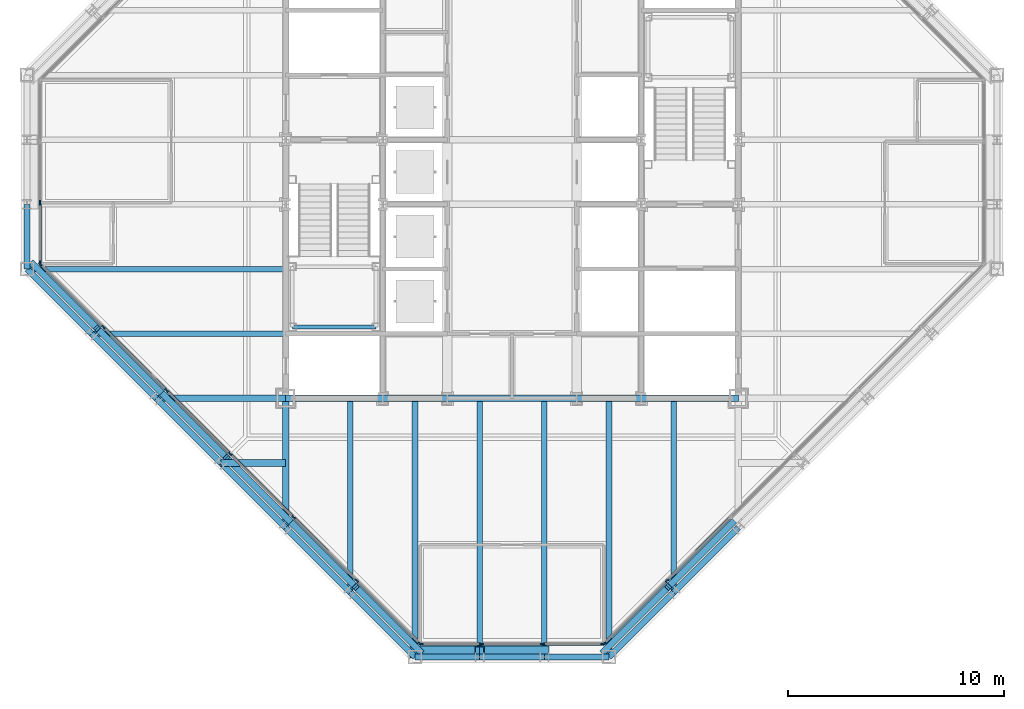
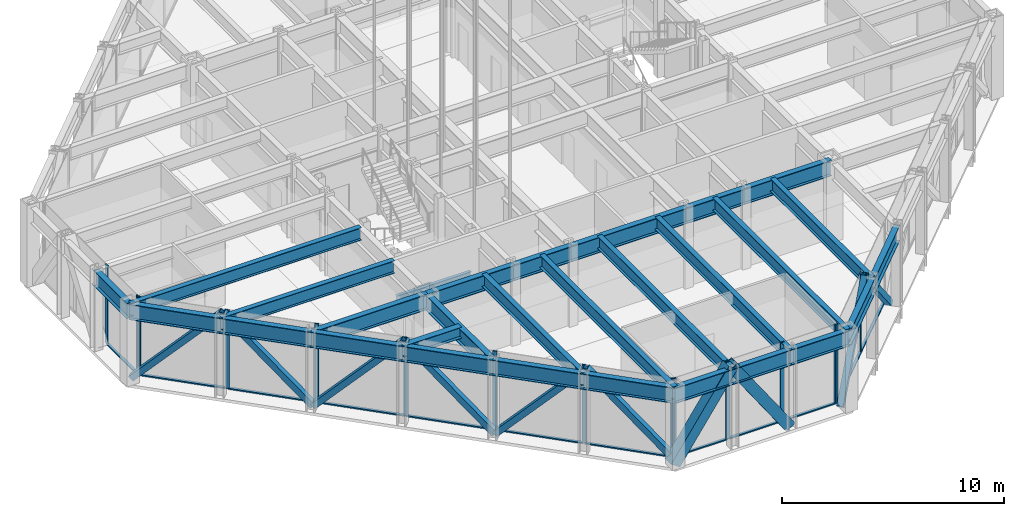
# One storey, part 5 of 24: 37 members, 29 beams, 4 elements without a shape of their own.
"""IFC4 building model written with IfcOpenShell, lengths in metres."""

from ifc_helpers import new_model, si_unit, direction, frame, origin, origin_2d, place, context, subcontext, project, spatial, rectangle, hollow_rectangle, i_section, extrude, material, layer, layer_set, material_profile, profile_set, type_object, element, aggregate, save


model = new_model("IFC4")

# Units and contexts
model_context = context("Model", 3, precision=1e-05, world=origin(), true_north=direction((0.0, 1.0)))
body_context = subcontext(model_context, "Body", "Model", "MODEL_VIEW")
ifc_project = project(units=[si_unit("LENGTHUNIT", "METRE"), si_unit("AREAUNIT", "SQUARE_METRE"), si_unit("VOLUMEUNIT", "CUBIC_METRE"), si_unit("PLANEANGLEUNIT", "RADIAN"), si_unit("MASSUNIT", "GRAM", prefix="KILO")], contexts=[model_context])

# Site, building, storey
site_placement = place(None, origin())
site = spatial("IfcSite", under=ifc_project, at=site_placement, CompositionType="ELEMENT")
building_placement = place(site_placement, origin())
building = spatial("IfcBuilding", under=site, at=building_placement, Name="Chuquiago Exchange Tower", CompositionType="ELEMENT")
storey_placement = place(building_placement, frame((0.0, 0.0, 257.699951171875)))
storey = spatial("IfcBuildingStorey", under=building, at=storey_placement, Name="L57", CompositionType="ELEMENT", Elevation=257.699951171875)

# Beams
ifc_material_1 = material(Name="Steel ASTM A992", Category="steel")
ifc_material_profile_1 = material_profile(ifc_material_1, i_section(OverallWidth=0.2919921875, OverallDepth=0.8583984375, WebThickness=0.01708984375, FlangeThickness=0.031005859375, at=origin_2d()), Name="W33X169")
ifc_profile_set_1 = profile_set([ifc_material_profile_1], Name="Steel ASTM A992")
beam_type_1 = type_object("IfcBeamType", Name="B3 W33X169", PredefinedType="BEAM", material=ifc_profile_set_1)
beam_1_placement = place(storey_placement, frame((12.0, 12.0, 3.91064453125), z_axis=(1.0, 0.0, 0.0), x_axis=(0.0, 1.0, 0.0)))
element("IfcBeam", 1, at=beam_1_placement, inside=storey, type_object=beam_type_1, Name="CB-L58-12_12-16.5_12", PredefinedType="BEAM", context=body_context, shape_type="SweptSolid", body=[
    extrude(i_section(OverallWidth=0.2919921875, OverallDepth=0.8583984375, WebThickness=0.01708984375, FlangeThickness=0.031005859375, at=origin_2d()), origin(), (0.0, 0.0, 1.0), 4.5),
])
beam_2_placement = place(storey_placement, frame((16.5, 12.0, 3.91064453125), z_axis=(1.0, 0.0, 0.0), x_axis=(0.0, 1.0, 0.0)))
element("IfcBeam", 2, at=beam_2_placement, inside=storey, type_object=beam_type_1, Name="CB-L58-16.5_12-19.5_12", PredefinedType="BEAM", context=body_context, shape_type="SweptSolid", body=[
    extrude(i_section(OverallWidth=0.2919921875, OverallDepth=0.8583984375, WebThickness=0.01708984375, FlangeThickness=0.031005859375, at=origin_2d()), origin(), (0.0, 0.0, 1.0), 3.0),
])
beam_3_placement = place(storey_placement, frame((19.5, 12.0, 3.91064453125), z_axis=(1.0, 0.0, 0.0), x_axis=(0.0, 1.0, 0.0)))
element("IfcBeam", 3, at=beam_3_placement, inside=storey, type_object=beam_type_1, Name="CB-L58-19.5_12-25.5_12", PredefinedType="BEAM", context=body_context, shape_type="SweptSolid", body=[
    extrude(i_section(OverallWidth=0.2919921875, OverallDepth=0.8583984375, WebThickness=0.01708984375, FlangeThickness=0.031005859375, at=origin_2d()), origin(), (0.0, 0.0, 1.0), 6.0),
])
beam_4_placement = place(storey_placement, frame((25.5, 12.0, 3.91064453125), z_axis=(1.0, 0.0, 0.0), x_axis=(0.0, 1.0, 0.0)))
element("IfcBeam", 4, at=beam_4_placement, inside=storey, type_object=beam_type_1, Name="CB-L58-25.5_12-28.5_12", PredefinedType="BEAM", context=body_context, shape_type="SweptSolid", body=[
    extrude(i_section(OverallWidth=0.2919921875, OverallDepth=0.8583984375, WebThickness=0.01708984375, FlangeThickness=0.031005859375, at=origin_2d()), origin(), (0.0, 0.0, 1.0), 3.0),
])
beam_5_placement = place(storey_placement, frame((28.5, 12.0, 3.91064453125), z_axis=(1.0, 0.0, 0.0), x_axis=(0.0, 1.0, 0.0)))
element("IfcBeam", 5, at=beam_5_placement, inside=storey, type_object=beam_type_1, Name="CB-L58-28.5_12-33_12", PredefinedType="BEAM", context=body_context, shape_type="SweptSolid", body=[
    extrude(i_section(OverallWidth=0.2919921875, OverallDepth=0.8583984375, WebThickness=0.01708984375, FlangeThickness=0.031005859375, at=origin_2d()), origin(), (0.0, 0.0, 1.0), 4.5),
])
ifc_material_2 = material(Name="Steel ASTM A992", Category="steel")
ifc_material_profile_2 = material_profile(ifc_material_2, i_section(OverallWidth=0.256591796875, OverallDepth=0.693359375, WebThickness=0.014404296875, FlangeThickness=0.023681640625, at=origin_2d()), Name="W27X114")
ifc_profile_set_2 = profile_set([ifc_material_profile_2], Name="Steel ASTM A992")
beam_type_2 = type_object("IfcBeamType", Name="B4 W27X114", PredefinedType="BEAM", material=ifc_profile_set_2)
beam_6_placement = place(storey_placement, frame((15.0, 12.0, 3.993408203125), z_axis=(0.0, -1.0, 0.0), x_axis=(1.0, 0.0, 0.0)))
element("IfcBeam", 6, at=beam_6_placement, inside=storey, type_object=beam_type_2, Name="FB-L58-infill-15_12-15_3-0", PredefinedType="BEAM", context=body_context, shape_type="SweptSolid", body=[
    extrude(i_section(OverallWidth=0.256591796875, OverallDepth=0.693359375, WebThickness=0.014404296875, FlangeThickness=0.023681640625, at=origin_2d()), origin(), (0.0, 0.0, 1.0), 9.0),
])
for number, where, z_axis, x_axis, name in (
    (7, (18.0, 12.0, 3.993408203125), (0.0, -1.0, 0.0), (1.0, 0.0, 0.0), "FB-L58-infill-18_12-18_-0-0"),
    (8, (21.0, 12.0, 3.993408203125), (0.0, -1.0, 0.0), (1.0, 0.0, 0.0), "FB-L58-infill-21_12-21_-0-0"),
    (9, (24.0, 12.0, 3.993408203125), (0.0, -1.0, 0.0), (1.0, 0.0, 0.0), "FB-L58-infill-24_12-24_-0-0"),
    (10, (27.0, 12.0, 3.993408203125), (0.0, -1.0, 0.0), (1.0, 0.0, 0.0), "FB-L58-infill-27_12-27_-0-0"),
):
    element("IfcBeam", number, at=place(storey_placement, frame(where, z_axis=z_axis, x_axis=x_axis)), inside=storey, type_object=beam_type_2, Name=name, PredefinedType="BEAM", context=body_context, shape_type="SweptSolid", body=[
        extrude(i_section(OverallWidth=0.256591796875, OverallDepth=0.693359375, WebThickness=0.014404296875, FlangeThickness=0.023681640625, at=origin_2d()), origin(), (0.0, 0.0, 1.0), 12.0),
    ])
for number, where, z_axis, x_axis, name in (
    (11, (30.0, 12.0, 3.993408203125), (0.0, -1.0, 0.0), (1.0, 0.0, 0.0), "FB-L58-infill-30_12-30_3-0"),
    (12, (12.0, 15.0, 3.993408203125), (-1.0, 0.0, 0.0), (0.0, -1.0, 0.0), "FB-L58-infill-12_15-3_15-0"),
):
    element("IfcBeam", number, at=place(storey_placement, frame(where, z_axis=z_axis, x_axis=x_axis)), inside=storey, type_object=beam_type_2, Name=name, PredefinedType="BEAM", context=body_context, shape_type="SweptSolid", body=[
        extrude(i_section(OverallWidth=0.256591796875, OverallDepth=0.693359375, WebThickness=0.014404296875, FlangeThickness=0.023681640625, at=origin_2d()), origin(), (0.0, 0.0, 1.0), 9.0),
    ])
beam_7_placement = place(storey_placement, frame((12.0, 18.0, 3.993408203125), z_axis=(-1.0, 0.0, 0.0), x_axis=(0.0, -1.0, 0.0)))
element("IfcBeam", 13, at=beam_7_placement, inside=storey, type_object=beam_type_2, Name="FB-L58-infill-12_18--0_18-0", PredefinedType="BEAM", context=body_context, shape_type="SweptSolid", body=[
    extrude(i_section(OverallWidth=0.256591796875, OverallDepth=0.693359375, WebThickness=0.014404296875, FlangeThickness=0.023681640625, at=origin_2d()), origin(), (0.0, 0.0, 1.0), 12.0),
])
ifc_material_3 = material(Name="Steel ASTM A992", Category="steel")
ifc_material_profile_3 = material_profile(ifc_material_3, i_section(OverallWidth=0.3251953125, OverallDepth=0.6171875, WebThickness=0.013916015625, FlangeThickness=0.021484375, at=origin_2d()), Name="W24X117")
ifc_profile_set_3 = profile_set([ifc_material_profile_3], Name="Steel ASTM A992")
beam_type_3 = type_object("IfcBeamType", Name="B5 W24X117", PredefinedType="BEAM", material=ifc_profile_set_3)
beam_8_placement = place(storey_placement, frame((12.0, 9.0, 4.031494140625), z_axis=(-1.0, 0.0, 0.0), x_axis=(0.0, -1.0, 0.0)))
element("IfcBeam", 14, at=beam_8_placement, inside=storey, type_object=beam_type_3, Name="FB-L58-corner-12_9-9_9-0", PredefinedType="BEAM", context=body_context, shape_type="SweptSolid", body=[
    extrude(i_section(OverallWidth=0.3251953125, OverallDepth=0.6171875, WebThickness=0.013916015625, FlangeThickness=0.021484375, at=origin_2d()), origin(), (0.0, 0.0, 1.0), 3.0),
])

# Curtain wall, members
ifc_material_4 = material(Name="Aluminium curtain wall system", Category="aluminium")
ifc_layer_1 = layer(ifc_material_4, 0.22509765625)
ifc_layer_set_1 = layer_set([ifc_layer_1], Name="CW2 office curtain wall")
curtain_wall_type_1 = type_object("IfcCurtainWallType", Name="CW2 office curtain wall", PredefinedType="NOTDEFINED", material=ifc_layer_set_1)
curtain_wall_1_placement = place(storey_placement, origin())
curtain_wall_1 = element("IfcCurtainWall", 15, at=curtain_wall_1_placement, inside=storey, type_object=curtain_wall_type_1, Name="CW2 curtain wall L57", PredefinedType="NOTDEFINED")
ifc_material_5 = material(Name="Aluminium mullion, pale anodised", Category="aluminium")
ifc_material_profile_4 = material_profile(ifc_material_5, rectangle(XDim=0.06494140625, YDim=0.22509765625, at=origin_2d()), Name="AL 65x225")
ifc_profile_set_4 = profile_set([ifc_material_profile_4], Name="Aluminium mullion, pale anodised")
member_type_1 = type_object("IfcMemberType", Name="CW2-M mullion 65x225", PredefinedType="MULLION", material=ifc_profile_set_4)
member_1_placement = place(storey_placement, frame((18.281005859375, 0.60009765625, 0.0), z_axis=(0.0, 0.0, 1.0), x_axis=(0.0, 1.0, 0.0)))
member_1 = element("IfcMember", 16, at=member_1_placement, type_object=member_type_1, Name="CW2 mullion 1", PredefinedType="MULLION", context=body_context, shape_type="SweptSolid", body=[
    extrude(rectangle(XDim=0.06494140625, YDim=0.22509765625, at=origin_2d()), origin(), (0.0, 0.0, 1.0), 4.340087890625),
])
member_2_placement = place(storey_placement, frame((21.082763671875, 0.60009765625, 0.0), z_axis=(0.0, 0.0, 1.0), x_axis=(0.0, 1.0, 0.0)))
member_2 = element("IfcMember", 17, at=member_2_placement, type_object=member_type_1, Name="CW2 mullion 2", PredefinedType="MULLION", context=body_context, shape_type="SweptSolid", body=[
    extrude(rectangle(XDim=0.06494140625, YDim=0.22509765625, at=origin_2d()), origin(), (0.0, 0.0, 1.0), 4.340087890625),
])
member_3_placement = place(storey_placement, frame((23.917236328125, 0.60009765625, 0.0), z_axis=(0.0, 0.0, 1.0), x_axis=(0.0, 1.0, 0.0)))
member_3 = element("IfcMember", 18, at=member_3_placement, type_object=member_type_1, Name="CW2 mullion 3", PredefinedType="MULLION", context=body_context, shape_type="SweptSolid", body=[
    extrude(rectangle(XDim=0.06494140625, YDim=0.22509765625, at=origin_2d()), origin(), (0.0, 0.0, 1.0), 4.340087890625),
])
member_4_placement = place(storey_placement, frame((26.718994140625, 0.60009765625, 0.0), z_axis=(0.0, 0.0, 1.0), x_axis=(0.0, 1.0, 0.0)))
member_4 = element("IfcMember", 19, at=member_4_placement, type_object=member_type_1, Name="CW2 mullion 4", PredefinedType="MULLION", context=body_context, shape_type="SweptSolid", body=[
    extrude(rectangle(XDim=0.06494140625, YDim=0.22509765625, at=origin_2d()), origin(), (0.0, 0.0, 1.0), 4.340087890625),
])

curtain_wall_2_placement = place(storey_placement, origin())
curtain_wall_2 = element("IfcCurtainWall", 20, at=curtain_wall_2_placement, inside=storey, type_object=curtain_wall_type_1, Name="CW2 curtain wall L57", PredefinedType="NOTDEFINED")
member_5_placement = place(storey_placement, frame((0.60009765625, 21.082763671875, 0.0), z_axis=(0.0, 0.0, 1.0), x_axis=(1.0, 0.0, 0.0)))
member_5 = element("IfcMember", 21, at=member_5_placement, type_object=member_type_1, Name="CW2 mullion 3", PredefinedType="MULLION", context=body_context, shape_type="SweptSolid", body=[
    extrude(rectangle(XDim=0.06494140625, YDim=0.22509765625, at=origin_2d()), origin(), (0.0, 0.0, 1.0), 4.340087890625),
])
member_6_placement = place(storey_placement, frame((0.60009765625, 18.281005859375, 0.0), z_axis=(0.0, 0.0, 1.0), x_axis=(1.0, 0.0, 0.0)))
member_6 = element("IfcMember", 22, at=member_6_placement, type_object=member_type_1, Name="CW2 mullion 4", PredefinedType="MULLION", context=body_context, shape_type="SweptSolid", body=[
    extrude(rectangle(XDim=0.06494140625, YDim=0.22509765625, at=origin_2d()), origin(), (0.0, 0.0, 1.0), 4.340087890625),
])

# Member
ifc_material_6 = material(Name="Aluminium transom, pale anodised", Category="aluminium")
ifc_material_profile_5 = material_profile(ifc_material_6, rectangle(XDim=0.139892578125, YDim=0.06494140625, at=origin_2d()), Name="AL 140x65")
ifc_profile_set_5 = profile_set([ifc_material_profile_5], Name="Aluminium transom, pale anodised")
member_type_2 = type_object("IfcMemberType", Name="CW2-T transom 65x140", PredefinedType="MULLION", material=ifc_profile_set_5)
member_7_placement = place(storey_placement, frame((18.3134765625, 0.60009765625, 0.032470703125), z_axis=(1.0, 0.0, 0.0), x_axis=(0.0, 1.0, 0.0)))
member_7 = element("IfcMember", 23, at=member_7_placement, type_object=member_type_2, Name="CW2 transom 1.1", PredefinedType="MULLION", context=body_context, shape_type="SweptSolid", body=[
    extrude(rectangle(XDim=0.139892578125, YDim=0.06494140625, at=origin_2d()), origin(), (0.0, 0.0, 1.0), 2.73681640625),
])

member_8_placement = place(storey_placement, frame((21.115234375, 0.60009765625, 0.032470703125), z_axis=(1.0, 0.0, 0.0), x_axis=(0.0, 1.0, 0.0)))
member_8 = element("IfcMember", 24, at=member_8_placement, type_object=member_type_2, Name="CW2 transom 2.1", PredefinedType="MULLION", context=body_context, shape_type="SweptSolid", body=[
    extrude(rectangle(XDim=0.139892578125, YDim=0.06494140625, at=origin_2d()), origin(), (0.0, 0.0, 1.0), 2.76953125),
])

member_9_placement = place(storey_placement, frame((23.94970703125, 0.60009765625, 0.032470703125), z_axis=(1.0, 0.0, 0.0), x_axis=(0.0, 1.0, 0.0)))
member_9 = element("IfcMember", 25, at=member_9_placement, type_object=member_type_2, Name="CW2 transom 3.1", PredefinedType="MULLION", context=body_context, shape_type="SweptSolid", body=[
    extrude(rectangle(XDim=0.139892578125, YDim=0.06494140625, at=origin_2d()), origin(), (0.0, 0.0, 1.0), 2.73681640625),
])

aggregate(curtain_wall_1, [member_1, member_2, member_3, member_4, member_7, member_8, member_9])

member_10_placement = place(storey_placement, frame((0.60009765625, 21.05029296875, 0.032470703125), z_axis=(0.0, -1.0, 0.0), x_axis=(1.0, 0.0, 0.0)))
member_10 = element("IfcMember", 26, at=member_10_placement, type_object=member_type_2, Name="CW2 transom 3.1", PredefinedType="MULLION", context=body_context, shape_type="SweptSolid", body=[
    extrude(rectangle(XDim=0.139892578125, YDim=0.06494140625, at=origin_2d()), origin(), (0.0, 0.0, 1.0), 2.73681640625),
])

aggregate(curtain_wall_2, [member_5, member_6, member_10])

# Curtain wall, members
ifc_material_7 = material(Name="Aluminium curtain wall system", Category="aluminium")
ifc_layer_2 = layer(ifc_material_7, 0.199951171875)
ifc_layer_set_2 = layer_set([ifc_layer_2], Name="CW3 facet curtain wall")
curtain_wall_type_2 = type_object("IfcCurtainWallType", Name="CW3 facet curtain wall", PredefinedType="NOTDEFINED", material=ifc_layer_set_2)
curtain_wall_3_placement = place(storey_placement, origin())
curtain_wall_3 = element("IfcCurtainWall", 27, at=curtain_wall_3_placement, inside=storey, type_object=curtain_wall_type_2, Name="CW3 curtain wall L57", PredefinedType="NOTDEFINED")
ifc_material_8 = material(Name="Aluminium mullion, pale anodised", Category="aluminium")
ifc_material_profile_6 = material_profile(ifc_material_8, rectangle(XDim=0.06494140625, YDim=0.199951171875, at=origin_2d()), Name="AL 65x200")
ifc_profile_set_6 = profile_set([ifc_material_profile_6], Name="Aluminium mullion, pale anodised")
member_type_3 = type_object("IfcMemberType", Name="CW3-M mullion 65x200", PredefinedType="MULLION", material=ifc_profile_set_6)
member_11_placement = place(storey_placement, frame((26.7744140625, 0.623046875, 0.0), z_axis=(0.0, 0.0, 1.0), x_axis=(-0.707106781187, 0.707106781187, 0.0)))
member_11 = element("IfcMember", 28, at=member_11_placement, type_object=member_type_3, Name="CW3 mullion 1", PredefinedType="MULLION", context=body_context, shape_type="SweptSolid", body=[
    extrude(rectangle(XDim=0.06494140625, YDim=0.199951171875, at=origin_2d()), origin(), (0.0, 0.0, 1.0), 4.340087890625),
])
member_12_placement = place(storey_placement, frame((29.69287109375, 3.54150390625, 0.0), z_axis=(0.0, 0.0, 1.0), x_axis=(-0.707106781187, 0.707106781187, 0.0)))
member_12 = element("IfcMember", 29, at=member_12_placement, type_object=member_type_3, Name="CW3 mullion 2", PredefinedType="MULLION", context=body_context, shape_type="SweptSolid", body=[
    extrude(rectangle(XDim=0.06494140625, YDim=0.199951171875, at=origin_2d()), origin(), (0.0, 0.0, 1.0), 4.340087890625),
])

curtain_wall_4_placement = place(storey_placement, origin())
curtain_wall_4 = element("IfcCurtainWall", 30, at=curtain_wall_4_placement, inside=storey, type_object=curtain_wall_type_2, Name="CW3 curtain wall L57", PredefinedType="NOTDEFINED")
member_13_placement = place(storey_placement, frame((0.623046875, 18.2255859375, 0.0), z_axis=(0.0, 0.0, 1.0), x_axis=(0.707106781187, 0.707106781187, 0.0)))
member_13 = element("IfcMember", 31, at=member_13_placement, type_object=member_type_3, Name="CW3 mullion 1", PredefinedType="MULLION", context=body_context, shape_type="SweptSolid", body=[
    extrude(rectangle(XDim=0.06494140625, YDim=0.199951171875, at=origin_2d()), origin(), (0.0, 0.0, 1.0), 4.340087890625),
])
member_14_placement = place(storey_placement, frame((3.54150390625, 15.30712890625, 0.0), z_axis=(0.0, 0.0, 1.0), x_axis=(0.707106781187, 0.707106781187, 0.0)))
member_14 = element("IfcMember", 32, at=member_14_placement, type_object=member_type_3, Name="CW3 mullion 2", PredefinedType="MULLION", context=body_context, shape_type="SweptSolid", body=[
    extrude(rectangle(XDim=0.06494140625, YDim=0.199951171875, at=origin_2d()), origin(), (0.0, 0.0, 1.0), 4.340087890625),
])
member_15_placement = place(storey_placement, frame((6.48291015625, 12.36572265625, 0.0), z_axis=(0.0, 0.0, 1.0), x_axis=(0.707106781187, 0.707106781187, 0.0)))
member_15 = element("IfcMember", 33, at=member_15_placement, type_object=member_type_3, Name="CW3 mullion 3", PredefinedType="MULLION", context=body_context, shape_type="SweptSolid", body=[
    extrude(rectangle(XDim=0.06494140625, YDim=0.199951171875, at=origin_2d()), origin(), (0.0, 0.0, 1.0), 4.340087890625),
])
member_16_placement = place(storey_placement, frame((9.42431640625, 9.42431640625, 0.0), z_axis=(0.0, 0.0, 1.0), x_axis=(0.707106781187, 0.707106781187, 0.0)))
member_16 = element("IfcMember", 34, at=member_16_placement, type_object=member_type_3, Name="CW3 mullion 4", PredefinedType="MULLION", context=body_context, shape_type="SweptSolid", body=[
    extrude(rectangle(XDim=0.06494140625, YDim=0.199951171875, at=origin_2d()), origin(), (0.0, 0.0, 1.0), 4.340087890625),
])
member_17_placement = place(storey_placement, frame((12.36572265625, 6.48291015625, 0.0), z_axis=(0.0, 0.0, 1.0), x_axis=(0.707106781187, 0.707106781187, 0.0)))
member_17 = element("IfcMember", 35, at=member_17_placement, type_object=member_type_3, Name="CW3 mullion 5", PredefinedType="MULLION", context=body_context, shape_type="SweptSolid", body=[
    extrude(rectangle(XDim=0.06494140625, YDim=0.199951171875, at=origin_2d()), origin(), (0.0, 0.0, 1.0), 4.340087890625),
])
member_18_placement = place(storey_placement, frame((15.30712890625, 3.54150390625, 0.0), z_axis=(0.0, 0.0, 1.0), x_axis=(0.707106781187, 0.707106781187, 0.0)))
member_18 = element("IfcMember", 36, at=member_18_placement, type_object=member_type_3, Name="CW3 mullion 6", PredefinedType="MULLION", context=body_context, shape_type="SweptSolid", body=[
    extrude(rectangle(XDim=0.06494140625, YDim=0.199951171875, at=origin_2d()), origin(), (0.0, 0.0, 1.0), 4.340087890625),
])
member_19_placement = place(storey_placement, frame((18.2255859375, 0.623046875, 0.0), z_axis=(0.0, 0.0, 1.0), x_axis=(0.707106781187, 0.707106781187, 0.0)))
member_19 = element("IfcMember", 37, at=member_19_placement, type_object=member_type_3, Name="CW3 mullion 7", PredefinedType="MULLION", context=body_context, shape_type="SweptSolid", body=[
    extrude(rectangle(XDim=0.06494140625, YDim=0.199951171875, at=origin_2d()), origin(), (0.0, 0.0, 1.0), 4.340087890625),
])

# Member
ifc_material_9 = material(Name="Aluminium transom, pale anodised", Category="aluminium")
ifc_material_profile_7 = material_profile(ifc_material_9, rectangle(XDim=0.139892578125, YDim=0.06494140625, at=origin_2d()), Name="AL 140x65")
ifc_profile_set_7 = profile_set([ifc_material_profile_7], Name="Aluminium transom, pale anodised")
member_type_4 = type_object("IfcMemberType", Name="CW3-T transom 65x140", PredefinedType="MULLION", material=ifc_profile_set_7)
member_20_placement = place(storey_placement, frame((26.79736328125, 0.64599609375, 0.032470703125), z_axis=(0.707106781187, 0.707106781187, 0.0), x_axis=(-0.707106781187, 0.707106781187, 0.0)))
member_20 = element("IfcMember", 38, at=member_20_placement, type_object=member_type_4, Name="CW3 transom 1.1", PredefinedType="MULLION", context=body_context, shape_type="SweptSolid", body=[
    extrude(rectangle(XDim=0.139892578125, YDim=0.06494140625, at=origin_2d()), origin(), (0.0, 0.0, 1.0), 4.0625),
])

member_21_placement = place(storey_placement, frame((29.7158203125, 3.564453125, 0.032470703125), z_axis=(0.707106781187, 0.707106781187, 0.0), x_axis=(-0.707106781187, 0.707106781187, 0.0)))
member_21 = element("IfcMember", 39, at=member_21_placement, type_object=member_type_4, Name="CW3 transom 2.1", PredefinedType="MULLION", context=body_context, shape_type="SweptSolid", body=[
    extrude(rectangle(XDim=0.139892578125, YDim=0.06494140625, at=origin_2d()), origin(), (0.0, 0.0, 1.0), 4.094970703125),
])

aggregate(curtain_wall_3, [member_11, member_12, member_20, member_21])

member_22_placement = place(storey_placement, frame((0.64599609375, 18.20263671875, 0.032470703125), z_axis=(0.707106781187, -0.707106781187, 0.0), x_axis=(0.707106781187, 0.707106781187, 0.0)))
member_22 = element("IfcMember", 40, at=member_22_placement, type_object=member_type_4, Name="CW3 transom 1.1", PredefinedType="MULLION", context=body_context, shape_type="SweptSolid", body=[
    extrude(rectangle(XDim=0.139892578125, YDim=0.06494140625, at=origin_2d()), origin(), (0.0, 0.0, 1.0), 4.0625),
])

member_23_placement = place(storey_placement, frame((3.564453125, 15.2841796875, 0.032470703125), z_axis=(0.707106781187, -0.707106781187, 0.0), x_axis=(0.707106781187, 0.707106781187, 0.0)))
member_23 = element("IfcMember", 41, at=member_23_placement, type_object=member_type_4, Name="CW3 transom 2.1", PredefinedType="MULLION", context=body_context, shape_type="SweptSolid", body=[
    extrude(rectangle(XDim=0.139892578125, YDim=0.06494140625, at=origin_2d()), origin(), (0.0, 0.0, 1.0), 4.094970703125),
])

member_24_placement = place(storey_placement, frame((6.505859375, 12.3427734375, 0.032470703125), z_axis=(0.707106781187, -0.707106781187, 0.0), x_axis=(0.707106781187, 0.707106781187, 0.0)))
member_24 = element("IfcMember", 42, at=member_24_placement, type_object=member_type_4, Name="CW3 transom 3.1", PredefinedType="MULLION", context=body_context, shape_type="SweptSolid", body=[
    extrude(rectangle(XDim=0.139892578125, YDim=0.06494140625, at=origin_2d()), origin(), (0.0, 0.0, 1.0), 4.094970703125),
])

member_25_placement = place(storey_placement, frame((9.447265625, 9.4013671875, 0.032470703125), z_axis=(0.707106781187, -0.707106781187, 0.0), x_axis=(0.707106781187, 0.707106781187, 0.0)))
member_25 = element("IfcMember", 43, at=member_25_placement, type_object=member_type_4, Name="CW3 transom 4.1", PredefinedType="MULLION", context=body_context, shape_type="SweptSolid", body=[
    extrude(rectangle(XDim=0.139892578125, YDim=0.06494140625, at=origin_2d()), origin(), (0.0, 0.0, 1.0), 4.094970703125),
])

member_26_placement = place(storey_placement, frame((12.388671875, 6.4599609375, 0.032470703125), z_axis=(0.707106781187, -0.707106781187, 0.0), x_axis=(0.707106781187, 0.707106781187, 0.0)))
member_26 = element("IfcMember", 44, at=member_26_placement, type_object=member_type_4, Name="CW3 transom 5.1", PredefinedType="MULLION", context=body_context, shape_type="SweptSolid", body=[
    extrude(rectangle(XDim=0.139892578125, YDim=0.06494140625, at=origin_2d()), origin(), (0.0, 0.0, 1.0), 4.094970703125),
])

member_27_placement = place(storey_placement, frame((15.330078125, 3.5185546875, 0.032470703125), z_axis=(0.707106781187, -0.707106781187, 0.0), x_axis=(0.707106781187, 0.707106781187, 0.0)))
member_27 = element("IfcMember", 45, at=member_27_placement, type_object=member_type_4, Name="CW3 transom 6.1", PredefinedType="MULLION", context=body_context, shape_type="SweptSolid", body=[
    extrude(rectangle(XDim=0.139892578125, YDim=0.06494140625, at=origin_2d()), origin(), (0.0, 0.0, 1.0), 4.0625),
])

aggregate(curtain_wall_4, [member_13, member_14, member_15, member_16, member_17, member_18, member_19, member_22, member_23, member_24, member_25, member_26, member_27])

# Beams
ifc_material_10 = material(Name="Steel ASTM A992", Category="steel")
ifc_material_profile_8 = material_profile(ifc_material_10, i_section(OverallWidth=0.2919921875, OverallDepth=0.8583984375, WebThickness=0.01708984375, FlangeThickness=0.031005859375, at=origin_2d()), Name="W33X169")
ifc_profile_set_8 = profile_set([ifc_material_profile_8], Name="Steel ASTM A992")
beam_type_4 = type_object("IfcBeamType", Name="G2 W33X169", PredefinedType="BEAM", material=ifc_profile_set_8)
for number, where, z_axis, x_axis, name in (
    (46, (12.0, 12.0, 3.91064453125), (0.0, -1.0, 0.0), (1.0, 0.0, 0.0), "FB-L58-girder-12_12-12_6-0"),
    (47, (12.0, 12.0, 3.91064453125), (-1.0, 0.0, 0.0), (0.0, -1.0, 0.0), "FB-L58-girder-12_12-6_12-0"),
):
    element("IfcBeam", number, at=place(storey_placement, frame(where, z_axis=z_axis, x_axis=x_axis)), inside=storey, type_object=beam_type_4, Name=name, PredefinedType="BEAM", context=body_context, shape_type="SweptSolid", body=[
        extrude(i_section(OverallWidth=0.2919921875, OverallDepth=0.8583984375, WebThickness=0.01708984375, FlangeThickness=0.031005859375, at=origin_2d()), origin(), (0.0, 0.0, 1.0), 6.0),
    ])

# Members
ifc_material_11 = material(Name="Steel ASTM A500 Grade C", Category="steel")
ifc_material_profile_9 = material_profile(ifc_material_11, hollow_rectangle(XDim=0.3046875, YDim=0.3046875, WallThickness=0.0146484375, at=origin_2d()), Name="HSS12X12X5/8")
ifc_profile_set_9 = profile_set([ifc_material_profile_9], Name="Steel ASTM A500 Grade C")
member_type_5 = type_object("IfcMemberType", Name="LB3 HSS12X12X5/8", PredefinedType="BRACE", material=ifc_profile_set_9)
for number, where, z_axis, x_axis, name in (
    (48, (26.750732421875, 0.249267578125, 0.0), (0.494291205278, 0.494291205278, 0.715089091491), (-0.707106781187, 0.707106781187, 0.0), "LB-L57-27_0-30_3"),
    (49, (32.750732421875, 6.249267578125, 0.0), (-0.494291205278, -0.494291205278, 0.715089091491), (0.707106781187, -0.707106781187, 0.0), "LB-L57-30_3-33_6"),
    (50, (0.249267578125, 18.249267578125, 0.0), (0.494291205278, -0.494291205278, 0.715089091491), (0.707106781187, 0.707106781187, 0.0), "LB-L57-0_18-3_15"),
    (51, (6.249267578125, 12.249267578125, 0.0), (-0.494291205278, 0.494291205278, 0.715089091491), (-0.707106781187, -0.707106781187, 0.0), "LB-L57-3_15-6_12"),
    (52, (6.249267578125, 12.249267578125, 0.0), (0.494291205278, -0.494291205278, 0.715089091491), (0.707106781187, 0.707106781187, 0.0), "LB-L57-6_12-9_9"),
    (53, (12.249267578125, 6.249267578125, 0.0), (-0.494291205278, 0.494291205278, 0.715089091491), (-0.707106781187, -0.707106781187, 0.0), "LB-L57-9_9-12_6"),
    (54, (12.249267578125, 6.249267578125, 0.0), (0.494291205278, -0.494291205278, 0.715089091491), (0.707106781187, 0.707106781187, 0.0), "LB-L57-12_6-15_3"),
    (55, (18.249267578125, 0.249267578125, 0.0), (-0.494291205278, 0.494291205278, 0.715089091491), (-0.707106781187, -0.707106781187, 0.0), "LB-L57-15_3-18_0"),
):
    element("IfcMember", number, at=place(storey_placement, frame(where, z_axis=z_axis, x_axis=x_axis)), inside=storey, type_object=member_type_5, Name=name, PredefinedType="BRACE", context=body_context, shape_type="SweptSolid", body=[
        extrude(hollow_rectangle(XDim=0.3046875, YDim=0.3046875, WallThickness=0.0146484375, at=origin_2d()), origin(), (0.0, 0.0, 1.0), 6.0693359375),
    ])

# Beam
ifc_material_12 = material(Name="Steel ASTM A992", Category="steel")
ifc_material_profile_10 = material_profile(ifc_material_12, i_section(OverallWidth=0.164794921875, OverallDepth=0.309814453125, WebThickness=0.005859375, FlangeThickness=0.009765625, at=origin_2d()), Name="W12X26")
ifc_profile_set_10 = profile_set([ifc_material_profile_10], Name="Steel ASTM A992")
beam_type_5 = type_object("IfcBeamType", Name="LT1 W12X26", PredefinedType="BEAM", material=ifc_profile_set_10)
beam_9_placement = place(storey_placement, frame((12.31005859375, 15.31005859375, 1.895263671875), z_axis=(1.0, 0.0, 0.0), x_axis=(0.0, 1.0, 0.0)))
element("IfcBeam", 56, at=beam_9_placement, inside=storey, type_object=beam_type_5, Name="Stair ST1 L57 landing 1 trimmer", PredefinedType="BEAM", context=body_context, shape_type="SweptSolid", body=[
    extrude(i_section(OverallWidth=0.164794921875, OverallDepth=0.309814453125, WebThickness=0.005859375, FlangeThickness=0.009765625, at=origin_2d()), origin(), (0.0, 0.0, 1.0), 3.8798828125),
])

# Members
ifc_material_13 = material(Name="Steel ASTM A572 Grade 50", Category="steel")
ifc_material_profile_11 = material_profile(ifc_material_13, hollow_rectangle(XDim=0.550048828125, YDim=0.550048828125, WallThickness=0.044921875, at=origin_2d()), Name="BOX550X550X45")
ifc_profile_set_11 = profile_set([ifc_material_profile_11], Name="Steel ASTM A572 Grade 50")
member_type_6 = type_object("IfcMemberType", Name="MB4 BOX550X550X45", PredefinedType="BRACE", material=ifc_profile_set_11)
for number, where, z_axis, x_axis, name in (
    (57, (18.0, 0.22998046875, 0.0), (0.568610676405, 0.0, 0.822606770382), (0.0, 1.0, 0.0), "Mega diagonal L57 S face"),
    (58, (24.0, 0.22998046875, 0.0), (-0.568610676405, 0.0, 0.822606770382), (0.0, -1.0, 0.0), "Mega diagonal L57 S face"),
):
    element("IfcMember", number, at=place(storey_placement, frame(where, z_axis=z_axis, x_axis=x_axis)), inside=storey, type_object=member_type_6, Name=name, PredefinedType="BRACE", context=body_context, shape_type="SweptSolid", body=[
        extrude(hollow_rectangle(XDim=0.550048828125, YDim=0.550048828125, WallThickness=0.044921875, at=origin_2d()), origin(), (0.0, 0.0, 1.0), 5.276123046875),
    ])

# Beams
ifc_material_14 = material(Name="Steel ASTM A992", Category="steel")
ifc_material_profile_12 = material_profile(ifc_material_14, i_section(OverallWidth=0.2919921875, OverallDepth=0.8583984375, WebThickness=0.01708984375, FlangeThickness=0.031005859375, at=origin_2d()), Name="W33X169")
ifc_profile_set_12 = profile_set([ifc_material_profile_12], Name="Steel ASTM A992")
beam_type_6 = type_object("IfcBeamType", Name="SP4 W33X169", PredefinedType="SPANDREL", material=ifc_profile_set_12)
for number, where, z_axis, x_axis, name in (
    (59, (18.0, 0.0, 3.91064453125), (1.0, 0.0, 0.0), (0.0, 1.0, 0.0), "SPB-L58-18_0-21_0"),
    (60, (21.0, 0.0, 3.91064453125), (1.0, 0.0, 0.0), (0.0, 1.0, 0.0), "SPB-L58-21_0-24_0"),
    (61, (24.0, 0.0, 3.91064453125), (1.0, 0.0, 0.0), (0.0, 1.0, 0.0), "SPB-L58-24_0-27_0"),
):
    element("IfcBeam", number, at=place(storey_placement, frame(where, z_axis=z_axis, x_axis=x_axis)), inside=storey, type_object=beam_type_6, Name=name, PredefinedType="SPANDREL", context=body_context, shape_type="SweptSolid", body=[
        extrude(i_section(OverallWidth=0.2919921875, OverallDepth=0.8583984375, WebThickness=0.01708984375, FlangeThickness=0.031005859375, at=origin_2d()), origin(), (0.0, 0.0, 1.0), 3.0),
    ])
for number, where, z_axis, x_axis, name in (
    (62, (27.0, 0.0, 3.91064453125), (0.707106781187, 0.707106781187, 0.0), (-0.707106781187, 0.707106781187, 0.0), "SPB-L58-27_0-30_3"),
    (63, (30.0, 3.0, 3.91064453125), (0.707106781187, 0.707106781187, 0.0), (-0.707106781187, 0.707106781187, 0.0), "SPB-L58-30_3-33_6"),
):
    element("IfcBeam", number, at=place(storey_placement, frame(where, z_axis=z_axis, x_axis=x_axis)), inside=storey, type_object=beam_type_6, Name=name, PredefinedType="SPANDREL", context=body_context, shape_type="SweptSolid", body=[
        extrude(i_section(OverallWidth=0.2919921875, OverallDepth=0.8583984375, WebThickness=0.01708984375, FlangeThickness=0.031005859375, at=origin_2d()), origin(), (0.0, 0.0, 1.0), 4.24267578125),
    ])
beam_10_placement = place(storey_placement, frame((0.0, 21.0, 3.91064453125), z_axis=(0.0, -1.0, 0.0), x_axis=(1.0, 0.0, 0.0)))
element("IfcBeam", 64, at=beam_10_placement, inside=storey, type_object=beam_type_6, Name="SPB-L58-0_21-0_18", PredefinedType="SPANDREL", context=body_context, shape_type="SweptSolid", body=[
    extrude(i_section(OverallWidth=0.2919921875, OverallDepth=0.8583984375, WebThickness=0.01708984375, FlangeThickness=0.031005859375, at=origin_2d()), origin(), (0.0, 0.0, 1.0), 3.0),
])
for number, where, z_axis, x_axis, name in (
    (65, (0.0, 18.0, 3.91064453125), (0.707106781187, -0.707106781187, 0.0), (0.707106781187, 0.707106781187, 0.0), "SPB-L58-0_18-3_15"),
    (66, (3.0, 15.0, 3.91064453125), (0.707106781187, -0.707106781187, 0.0), (0.707106781187, 0.707106781187, 0.0), "SPB-L58-3_15-6_12"),
    (67, (6.0, 12.0, 3.91064453125), (0.707106781187, -0.707106781187, 0.0), (0.707106781187, 0.707106781187, 0.0), "SPB-L58-6_12-9_9"),
    (68, (9.0, 9.0, 3.91064453125), (0.707106781187, -0.707106781187, 0.0), (0.707106781187, 0.707106781187, 0.0), "SPB-L58-9_9-12_6"),
    (69, (12.0, 6.0, 3.91064453125), (0.707106781187, -0.707106781187, 0.0), (0.707106781187, 0.707106781187, 0.0), "SPB-L58-12_6-15_3"),
    (70, (15.0, 3.0, 3.91064453125), (0.707106781187, -0.707106781187, 0.0), (0.707106781187, 0.707106781187, 0.0), "SPB-L58-15_3-18_0"),
):
    element("IfcBeam", number, at=place(storey_placement, frame(where, z_axis=z_axis, x_axis=x_axis)), inside=storey, type_object=beam_type_6, Name=name, PredefinedType="SPANDREL", context=body_context, shape_type="SweptSolid", body=[
        extrude(i_section(OverallWidth=0.2919921875, OverallDepth=0.8583984375, WebThickness=0.01708984375, FlangeThickness=0.031005859375, at=origin_2d()), origin(), (0.0, 0.0, 1.0), 4.24267578125),
    ])

save(model, "model.ifc")
